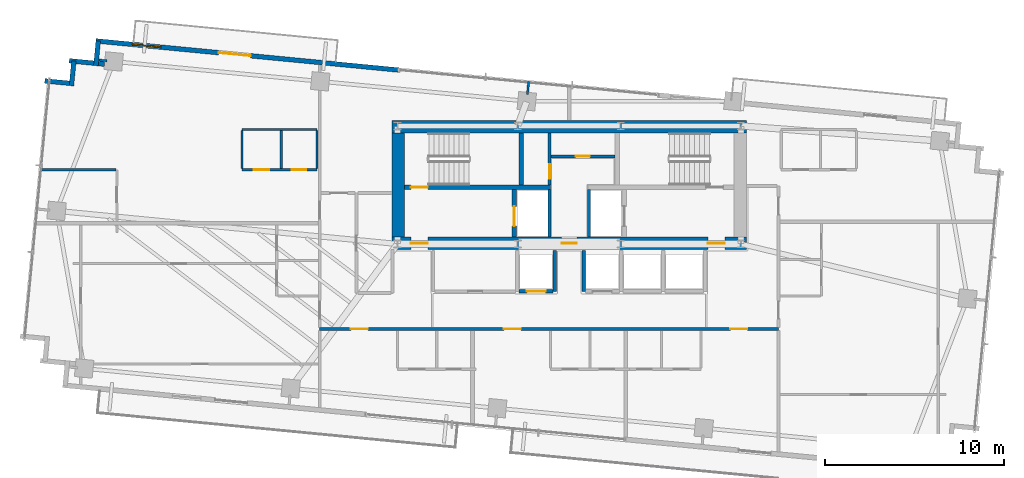
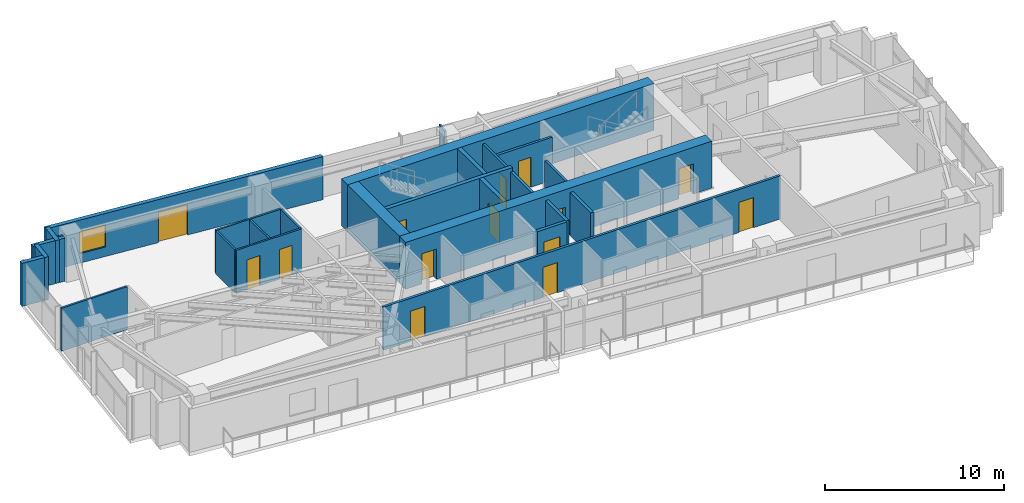
# One storey, part 16 of 20: 27 walls, 14 doors, 1 window, 15 openings.
"""IFC4 building model written with IfcOpenShell, lengths in metres."""

from ifc_helpers import new_model, si_unit, direction, frame, frame_2d, origin, place, context, subcontext, project, spatial, rectangle, extrude, source, transform, mapped, material, layer, layer_set, type_object, type_shapes, element, fill, save


model = new_model("IFC4")

# Units and contexts
model_context = context("Model", 3, precision=1e-05, world=origin(), true_north=direction((0.0, 1.0)))
body_context = subcontext(model_context, "Body", "Model", "MODEL_VIEW")
ifc_project = project(units=[si_unit("LENGTHUNIT", "METRE"), si_unit("AREAUNIT", "SQUARE_METRE"), si_unit("VOLUMEUNIT", "CUBIC_METRE"), si_unit("PLANEANGLEUNIT", "RADIAN"), si_unit("MASSUNIT", "GRAM", prefix="KILO")], contexts=[model_context])

# Site, building, storey
site_placement = place(None, origin())
site = spatial("IfcSite", under=ifc_project, at=site_placement, CompositionType="ELEMENT")
building_placement = place(site_placement, origin())
building = spatial("IfcBuilding", under=site, at=building_placement, Name="Astriad Promenade Condominiums", CompositionType="ELEMENT")
storey_placement = place(building_placement, frame((0.0, 0.0, 156.60009765625)))
storey = spatial("IfcBuildingStorey", under=building, at=storey_placement, Name="L45", CompositionType="ELEMENT", Elevation=156.60009765625)

# Wall, openings, doors
ifc_material_1 = material(Name="Concrete C60/75", Category="concrete")
ifc_layer_1 = layer(ifc_material_1, 0.699951171875)
ifc_layer_set_1 = layer_set([ifc_layer_1], Name="Concrete C60/75")
wall_type_1 = type_object("IfcWallType", Name="CW-SHEAR-700", PredefinedType="SHEAR", material=ifc_layer_set_1)
wall_1_placement = place(storey_placement, frame((26.10009765625, 17.449951171875, 0.0), z_axis=(0.0, 0.0, 1.0), x_axis=(1.0, 0.0, 0.0)))
wall_1 = element("IfcWall", 1, at=wall_1_placement, inside=storey, type_object=wall_type_1, Name="CW-CORE-S-L45", PredefinedType="SHEAR", context=body_context, shape_type="SweptSolid", body=[
    extrude(rectangle(XDim=19.7998046875, YDim=0.699951171875, at=frame_2d((9.89990234375, 0.0))), origin(), (0.0, 0.0, 1.0), 3.199951171875),
])
opening_1_placement = place(wall_1_placement, frame((1.050048828125, 0.0, 0.0)))
opening_1 = element("IfcOpeningElement", 2, at=opening_1_placement, cuts=wall_1, Name="Opening FD90-ST-095", PredefinedType="OPENING", context=body_context, shape_type="SweptSolid", body=[
    extrude(rectangle(XDim=0.949951171875, YDim=2.06005859375, at=frame_2d((0.47509765625, 1.030029296875))), frame((0.0, 0.35986328125, 0.0), z_axis=(0.0, -1.0, 0.0), x_axis=(1.0, 0.0, 0.0)), (0.0, 0.0, 1.0), 0.719970703125),
])
opening_2_placement = place(wall_1_placement, frame((9.47998046875, 0.0, 0.0)))
opening_2 = element("IfcOpeningElement", 3, at=opening_2_placement, cuts=wall_1, Name="Opening FD60-ULOW-085", PredefinedType="OPENING", context=body_context, shape_type="SweptSolid", body=[
    extrude(rectangle(XDim=0.85009765625, YDim=2.0, at=frame_2d((0.425048828125, 1.0))), frame((0.0, 0.35986328125, 0.0), z_axis=(0.0, -1.0, 0.0), x_axis=(1.0, 0.0, 0.0)), (0.0, 0.0, 1.0), 0.719970703125),
])
opening_3_placement = place(wall_1_placement, frame((17.64990234375, 0.0, 0.0)))
opening_3 = element("IfcOpeningElement", 4, at=opening_3_placement, cuts=wall_1, Name="Opening FD90-ST-095", PredefinedType="OPENING", context=body_context, shape_type="SweptSolid", body=[
    extrude(rectangle(XDim=0.949951171875, YDim=2.06005859375, at=frame_2d((0.47509765625, 1.030029296875))), frame((0.0, 0.35986328125, 0.0), z_axis=(0.0, -1.0, 0.0), x_axis=(1.0, 0.0, 0.0)), (0.0, 0.0, 1.0), 0.719970703125),
])
ifc_material_2 = material(Name="Fire-Rated Hollow Metal Stair Door")
door_type_1 = type_object("IfcDoorType", Name="FD90-ST-095", OperationType="NOTDEFINED", PredefinedType="DOOR", material=ifc_material_2)
shared_shape_1 = source(origin(), body_context, "Body", "SweptSolid", [
    extrude(rectangle(XDim=0.949951171875, YDim=2.06005859375, at=frame_2d((0.47509765625, 1.030029296875))), frame((0.0, 0.02490234375, 0.0), z_axis=(0.0, -1.0, 0.0), x_axis=(1.0, 0.0, 0.0)), (0.0, 0.0, 1.0), 0.050048828125),
])
type_shapes(door_type_1, [shared_shape_1])
door_1_placement = place(opening_1_placement, origin())
door_1 = element("IfcDoor", 5, at=door_1_placement, inside=storey, type_object=door_type_1, Name="D-FFW-L45", OperationType="SINGLE_SWING_LEFT", OverallHeight=2.06005859375, OverallWidth=0.949951171875, PredefinedType="DOOR", context=body_context, shape_type="MappedRepresentation", body=[
    mapped(shared_shape_1, transform((0.0, 0.0, 0.0), scale=1.0)),
])
fill(opening_1, door_1)
door_2_placement = place(opening_3_placement, origin())
door_2 = element("IfcDoor", 6, at=door_2_placement, inside=storey, type_object=door_type_1, Name="D-FFE-L45", OperationType="SINGLE_SWING_RIGHT", OverallHeight=2.06005859375, OverallWidth=0.949951171875, PredefinedType="DOOR", context=body_context, shape_type="MappedRepresentation", body=[
    mapped(shared_shape_1, transform((0.0, 0.0, 0.0), scale=1.0)),
])
fill(opening_3, door_2)
ifc_material_3 = material(Name="Solid-Core Low-Headroom Fire Door")
door_type_2 = type_object("IfcDoorType", Name="FD60-ULOW-085", OperationType="NOTDEFINED", PredefinedType="DOOR", material=ifc_material_3)
shared_shape_2 = source(origin(), body_context, "Body", "SweptSolid", [
    extrude(rectangle(XDim=0.85009765625, YDim=2.0, at=frame_2d((0.425048828125, 1.0))), frame((0.0, 0.02490234375, 0.0), z_axis=(0.0, -1.0, 0.0), x_axis=(1.0, 0.0, 0.0)), (0.0, 0.0, 1.0), 0.050048828125),
])
type_shapes(door_type_2, [shared_shape_2])
door_3_placement = place(opening_2_placement, origin())
door_3 = element("IfcDoor", 7, at=door_3_placement, inside=storey, type_object=door_type_2, Name="D-CSL-L45", OperationType="SINGLE_SWING_RIGHT", OverallHeight=2.0, OverallWidth=0.85009765625, PredefinedType="DOOR", context=body_context, shape_type="MappedRepresentation", body=[
    mapped(shared_shape_2, transform((0.0, 0.0, 0.0), scale=1.0)),
])
fill(opening_2, door_3)

# Walls
wall_2_placement = place(storey_placement, frame((26.10009765625, 23.949951171875, 0.0), z_axis=(0.0, 0.0, 1.0), x_axis=(1.0, 0.0, 0.0)))
element("IfcWall", 8, at=wall_2_placement, inside=storey, type_object=wall_type_1, Name="CW-CORE-N-L45", PredefinedType="SHEAR", context=body_context, shape_type="SweptSolid", body=[
    extrude(rectangle(XDim=19.7998046875, YDim=0.699951171875, at=frame_2d((9.89990234375, 0.0))), origin(), (0.0, 0.0, 1.0), 3.199951171875),
])
wall_3_placement = place(storey_placement, frame((26.449951171875, 17.802001953125, 0.0), z_axis=(0.0, 0.0, 1.0), x_axis=(0.0, 1.0, 0.0)))
element("IfcWall", 9, at=wall_3_placement, inside=storey, type_object=wall_type_1, Name="CW-CORE-W-L45", PredefinedType="SHEAR", context=body_context, shape_type="SweptSolid", body=[
    extrude(rectangle(XDim=5.7958984375, YDim=0.699951171875, at=frame_2d((2.89794921875, 0.0))), origin(), (0.0, 0.0, 1.0), 3.199951171875),
])

# Wall, opening, door
ifc_material_4 = material(Name="Concrete C50/60", Category="concrete")
ifc_layer_2 = layer(ifc_material_4, 0.25)
ifc_layer_set_2 = layer_set([ifc_layer_2], Name="Concrete C50/60")
wall_type_2 = type_object("IfcWallType", Name="WALL-CORE-INT-250", PredefinedType="SOLIDWALL", material=ifc_layer_set_2)
wall_4_placement = place(storey_placement, frame((26.802001953125, 20.574951171875, 0.0), z_axis=(0.0, 0.0, 1.0), x_axis=(1.0, 0.0, 0.0)))
wall_4 = element("IfcWall", 10, at=wall_4_placement, inside=storey, type_object=wall_type_2, Name="CW-INT-H1-L45", PredefinedType="SOLIDWALL", context=body_context, shape_type="SweptSolid", body=[
    extrude(rectangle(XDim=8.14794921875, YDim=0.25, at=frame_2d((4.073974609375, 0.0))), origin(), (0.0, 0.0, 1.0), 3.199951171875),
])
opening_4_placement = place(wall_4_placement, frame((0.347900390625, 0.0, 0.0)))
opening_4 = element("IfcOpeningElement", 11, at=opening_4_placement, cuts=wall_4, Name="Opening FD90-ST-095", PredefinedType="OPENING", context=body_context, shape_type="SweptSolid", body=[
    extrude(rectangle(XDim=0.949951171875, YDim=2.06005859375, at=frame_2d((0.47509765625, 1.030029296875))), frame((0.0, 0.135009765625, 0.0), z_axis=(0.0, -1.0, 0.0), x_axis=(1.0, 0.0, 0.0)), (0.0, 0.0, 1.0), 0.27001953125),
])
door_4_placement = place(opening_4_placement, origin())
door_4 = element("IfcDoor", 12, at=door_4_placement, inside=storey, type_object=door_type_1, Name="D-ST1-L45", OperationType="SINGLE_SWING_RIGHT", OverallHeight=2.06005859375, OverallWidth=0.949951171875, PredefinedType="DOOR", context=body_context, shape_type="MappedRepresentation", body=[
    mapped(shared_shape_1, transform((0.0, 0.0, 0.0), scale=1.0)),
])
fill(opening_4, door_4)

# Wall
wall_5_placement = place(storey_placement, frame((33.324951171875, 20.701904296875, 0.0), z_axis=(0.0, 0.0, 1.0), x_axis=(0.0, 1.0, 0.0)))
element("IfcWall", 13, at=wall_5_placement, inside=storey, type_object=wall_type_2, Name="CW-ST1-E-L45", PredefinedType="SOLIDWALL", context=body_context, shape_type="SweptSolid", body=[
    extrude(rectangle(XDim=2.89599609375, YDim=0.25, at=frame_2d((1.447998046875, 0.0))), origin(), (0.0, 0.0, 1.0), 3.199951171875),
])

# Wall, opening, door
wall_6_placement = place(storey_placement, frame((32.925048828125, 17.802001953125, 0.0), z_axis=(0.0, 0.0, 1.0), x_axis=(0.0, 1.0, 0.0)))
wall_6 = element("IfcWall", 14, at=wall_6_placement, inside=storey, type_object=wall_type_2, Name="CW-FFL1-W-L45", PredefinedType="SOLIDWALL", context=body_context, shape_type="SweptSolid", body=[
    extrude(rectangle(XDim=2.64599609375, YDim=0.25, at=frame_2d((1.322998046875, 0.0))), origin(), (0.0, 0.0, 1.0), 3.199951171875),
])
opening_5_placement = place(wall_6_placement, frame((0.597900390625, 0.0, 0.0)))
opening_5 = element("IfcOpeningElement", 15, at=opening_5_placement, cuts=wall_6, Name="Opening LD-FFL-1122", PredefinedType="OPENING", context=body_context, shape_type="SweptSolid", body=[
    extrude(rectangle(XDim=1.10009765625, YDim=2.080078125, at=frame_2d((0.550048828125, 1.0400390625))), frame((0.0, 0.135009765625, 0.0), z_axis=(0.0, -1.0, 0.0), x_axis=(1.0, 0.0, 0.0)), (0.0, 0.0, 1.0), 0.27001953125),
])
ifc_material_5 = material(Name="Brushed Stainless Steel Fire Elevator Landing Door", Category="steel")
door_type_3 = type_object("IfcDoorType", Name="LD-FFL-1122", OperationType="NOTDEFINED", PredefinedType="DOOR", material=ifc_material_5)
shared_shape_3 = source(origin(), body_context, "Body", "SweptSolid", [
    extrude(rectangle(XDim=1.10009765625, YDim=2.080078125, at=frame_2d((0.550048828125, 1.0400390625))), frame((0.0, 0.02490234375, 0.0), z_axis=(0.0, -1.0, 0.0), x_axis=(1.0, 0.0, 0.0)), (0.0, 0.0, 1.0), 0.050048828125),
])
type_shapes(door_type_3, [shared_shape_3])
door_5_placement = place(opening_5_placement, origin())
door_5 = element("IfcDoor", 16, at=door_5_placement, inside=storey, type_object=door_type_3, Name="Elevator Landing Door FFL-1 (L45)", OperationType="SLIDING_TO_LEFT", OverallHeight=2.080078125, OverallWidth=1.10009765625, PredefinedType="DOOR", context=body_context, shape_type="MappedRepresentation", body=[
    mapped(shared_shape_3, transform((0.0, 0.0, 0.0), scale=1.0)),
])
fill(opening_5, door_5)

# Walls
ifc_material_6 = material(Name="Fire-Rated Gypsum Partition")
ifc_layer_3 = layer(ifc_material_6, 0.159912109375)
ifc_layer_set_3 = layer_set([ifc_layer_3], Name="Fire-Rated Gypsum Partition")
wall_type_3 = type_object("IfcWallType", Name="WALL-CORR-160", PredefinedType="PARTITIONING", material=ifc_layer_set_3)
for number, where, z_axis, x_axis, name in (
    (17, (34.89990234375, 17.802001953125, 0.0), (0.0, 0.0, 1.0), (0.0, 1.0, 0.0), "CW-FFL1-E-L45"),
    (18, (37.10009765625, 17.802001953125, 0.0), (0.0, 0.0, 1.0), (0.0, 1.0, 0.0), "CW-FFL2-W-L45"),
):
    element("IfcWall", number, at=place(storey_placement, frame(where, z_axis=z_axis, x_axis=x_axis)), inside=storey, type_object=wall_type_3, Name=name, PredefinedType="PARTITIONING", context=body_context, shape_type="SweptSolid", body=[
        extrude(rectangle(XDim=2.64599609375, YDim=0.159912109375, at=frame_2d((1.322998046875, 0.0))), origin(), (0.0, 0.0, 1.0), 2.93994140625),
    ])

# Wall, opening, door
wall_7_placement = place(storey_placement, frame((34.89990234375, 20.701904296875, 0.0), z_axis=(0.0, 0.0, 1.0), x_axis=(0.0, 1.0, 0.0)))
wall_7 = element("IfcWall", 19, at=wall_7_placement, inside=storey, type_object=wall_type_3, Name="CW-AUX-W-L45", PredefinedType="PARTITIONING", context=body_context, shape_type="SweptSolid", body=[
    extrude(rectangle(XDim=2.89599609375, YDim=0.159912109375, at=frame_2d((1.447998046875, 0.0))), origin(), (0.0, 0.0, 1.0), 2.93994140625),
])
opening_6_placement = place(wall_7_placement, frame((0.347900390625, 0.0, 0.0)))
opening_6 = element("IfcOpeningElement", 20, at=opening_6_placement, cuts=wall_7, Name="Opening FD60-SV-080", PredefinedType="OPENING", context=body_context, shape_type="SweptSolid", body=[
    extrude(rectangle(XDim=0.800048828125, YDim=2.050048828125, at=frame_2d((0.39990234375, 1.02490234375))), frame((0.0, 0.08984375, 0.0), z_axis=(0.0, -1.0, 0.0), x_axis=(1.0, 0.0, 0.0)), (0.0, 0.0, 1.0), 0.179931640625),
])
ifc_material_7 = material(Name="Fire-Rated Riser Closet Door")
door_type_4 = type_object("IfcDoorType", Name="FD60-SV-080", OperationType="NOTDEFINED", PredefinedType="DOOR", material=ifc_material_7)
shared_shape_4 = source(origin(), body_context, "Body", "SweptSolid", [
    extrude(rectangle(XDim=0.800048828125, YDim=2.050048828125, at=frame_2d((0.39990234375, 1.02490234375))), frame((0.0, 0.02490234375, 0.0), z_axis=(0.0, -1.0, 0.0), x_axis=(1.0, 0.0, 0.0)), (0.0, 0.0, 1.0), 0.050048828125),
])
type_shapes(door_type_4, [shared_shape_4])
door_6_placement = place(opening_6_placement, origin())
door_6 = element("IfcDoor", 21, at=door_6_placement, inside=storey, type_object=door_type_4, Name="D-AUX1-L45", OperationType="SINGLE_SWING_RIGHT", OverallHeight=2.050048828125, OverallWidth=0.800048828125, PredefinedType="DOOR", context=body_context, shape_type="MappedRepresentation", body=[
    mapped(shared_shape_4, transform((0.0, 0.0, 0.0), scale=1.0)),
])
fill(opening_6, door_6)

wall_8_placement = place(storey_placement, frame((34.98193359375, 22.300048828125, 0.0), z_axis=(0.0, 0.0, 1.0), x_axis=(1.0, 0.0, 0.0)))
wall_8 = element("IfcWall", 22, at=wall_8_placement, inside=storey, type_object=wall_type_3, Name="CW-AUX-N-L45", PredefinedType="PARTITIONING", context=body_context, shape_type="SweptSolid", body=[
    extrude(rectangle(XDim=3.566162109375, YDim=0.159912109375, at=frame_2d((1.783203125, 0.0))), origin(), (0.0, 0.0, 1.0), 2.93994140625),
])
opening_7_placement = place(wall_8_placement, frame((1.3779296875, 0.0, 0.0)))
opening_7 = element("IfcOpeningElement", 23, at=opening_7_placement, cuts=wall_8, Name="Opening FD60-SV-080", PredefinedType="OPENING", context=body_context, shape_type="SweptSolid", body=[
    extrude(rectangle(XDim=0.800048828125, YDim=2.050048828125, at=frame_2d((0.39990234375, 1.02490234375))), frame((0.0, 0.08984375, 0.0), z_axis=(0.0, -1.0, 0.0), x_axis=(1.0, 0.0, 0.0)), (0.0, 0.0, 1.0), 0.179931640625),
])
door_7_placement = place(opening_7_placement, origin())
door_7 = element("IfcDoor", 24, at=door_7_placement, inside=storey, type_object=door_type_4, Name="D-AUX2-L45", OperationType="SINGLE_SWING_LEFT", OverallHeight=2.050048828125, OverallWidth=0.800048828125, PredefinedType="DOOR", context=body_context, shape_type="MappedRepresentation", body=[
    mapped(shared_shape_4, transform((0.0, 0.0, 0.0), scale=1.0)),
])
fill(opening_7, door_7)

# Wall, openings, doors
wall_9_placement = place(storey_placement, frame((22.050048828125, 12.64990234375, 0.0), z_axis=(0.0, 0.0, 1.0), x_axis=(1.0, 0.0, 0.0)))
wall_9 = element("IfcWall", 25, at=wall_9_placement, inside=storey, type_object=wall_type_3, Name="PT-COR-S-L45", PredefinedType="PARTITIONING", context=body_context, shape_type="SweptSolid", body=[
    extrude(rectangle(XDim=25.64990234375, YDim=0.159912109375, at=frame_2d((12.824951171875, 0.0))), origin(), (0.0, 0.0, 1.0), 2.93994140625),
])
opening_8_placement = place(wall_9_placement, frame((1.736083984375, 0.0, 0.0)))
opening_8 = element("IfcOpeningElement", 26, at=opening_8_placement, cuts=wall_9, Name="Opening FD60-APT-095", PredefinedType="OPENING", context=body_context, shape_type="SweptSolid", body=[
    extrude(rectangle(XDim=0.949951171875, YDim=2.06005859375, at=frame_2d((0.47509765625, 1.030029296875))), frame((0.0, 0.08984375, 0.0), z_axis=(0.0, -1.0, 0.0), x_axis=(1.0, 0.0, 0.0)), (0.0, 0.0, 1.0), 0.179931640625),
])
opening_9_placement = place(wall_9_placement, frame((10.300048828125, 0.0, 0.0)))
opening_9 = element("IfcOpeningElement", 27, at=opening_9_placement, cuts=wall_9, Name="Opening FD60-APT-095", PredefinedType="OPENING", context=body_context, shape_type="SweptSolid", body=[
    extrude(rectangle(XDim=0.949951171875, YDim=2.06005859375, at=frame_2d((0.47509765625, 1.030029296875))), frame((0.0, 0.08984375, 0.0), z_axis=(0.0, -1.0, 0.0), x_axis=(1.0, 0.0, 0.0)), (0.0, 0.0, 1.0), 0.179931640625),
])
opening_10_placement = place(wall_9_placement, frame((22.965087890625, 0.0, 0.0)))
opening_10 = element("IfcOpeningElement", 28, at=opening_10_placement, cuts=wall_9, Name="Opening FD60-APT-095", PredefinedType="OPENING", context=body_context, shape_type="SweptSolid", body=[
    extrude(rectangle(XDim=0.949951171875, YDim=2.06005859375, at=frame_2d((0.47509765625, 1.030029296875))), frame((0.0, 0.08984375, 0.0), z_axis=(0.0, -1.0, 0.0), x_axis=(1.0, 0.0, 0.0)), (0.0, 0.0, 1.0), 0.179931640625),
])
ifc_material_8 = material(Name="Solid-Core Acoustic Timber Residence Entry Door", Category="wood")
door_type_5 = type_object("IfcDoorType", Name="FD60-APT-095", OperationType="NOTDEFINED", PredefinedType="DOOR", material=ifc_material_8)
shared_shape_5 = source(origin(), body_context, "Body", "SweptSolid", [
    extrude(rectangle(XDim=0.949951171875, YDim=2.06005859375, at=frame_2d((0.47509765625, 1.030029296875))), frame((0.0, 0.02490234375, 0.0), z_axis=(0.0, -1.0, 0.0), x_axis=(1.0, 0.0, 0.0)), (0.0, 0.0, 1.0), 0.050048828125),
])
type_shapes(door_type_5, [shared_shape_5])
door_8_placement = place(opening_8_placement, origin())
door_8 = element("IfcDoor", 29, at=door_8_placement, inside=storey, type_object=door_type_5, Name="D-ENT-L45-S1", OperationType="SINGLE_SWING_LEFT", OverallHeight=2.06005859375, OverallWidth=0.949951171875, PredefinedType="DOOR", context=body_context, shape_type="MappedRepresentation", body=[
    mapped(shared_shape_5, transform((0.0, 0.0, 0.0), scale=1.0)),
])
fill(opening_8, door_8)
door_9_placement = place(opening_9_placement, origin())
door_9 = element("IfcDoor", 30, at=door_9_placement, inside=storey, type_object=door_type_5, Name="D-ENT-L45-S2", OperationType="SINGLE_SWING_RIGHT", OverallHeight=2.06005859375, OverallWidth=0.949951171875, PredefinedType="DOOR", context=body_context, shape_type="MappedRepresentation", body=[
    mapped(shared_shape_5, transform((0.0, 0.0, 0.0), scale=1.0)),
])
fill(opening_9, door_9)
door_10_placement = place(opening_10_placement, origin())
door_10 = element("IfcDoor", 31, at=door_10_placement, inside=storey, type_object=door_type_5, Name="D-ENT-L45-S3", OperationType="SINGLE_SWING_LEFT", OverallHeight=2.06005859375, OverallWidth=0.949951171875, PredefinedType="DOOR", context=body_context, shape_type="MappedRepresentation", body=[
    mapped(shared_shape_5, transform((0.0, 0.0, 0.0), scale=1.0)),
])
fill(opening_10, door_10)

# Walls
ifc_material_9 = material(Name="Precast concrete C50/60", Category="concrete")
ifc_layer_4 = layer(ifc_material_9, 0.260009765625)
ifc_layer_set_4 = layer_set([ifc_layer_4], Name="Precast concrete C50/60")
wall_type_4 = type_object("IfcWallType", Name="WALL-EXT-TWR-260", PredefinedType="STANDARD", material=ifc_layer_set_4)
wall_10_placement = place(storey_placement, frame((6.68115234375, 26.518310546875, 0.0), z_axis=(0.0, 0.0, 1.0), x_axis=(0.995389446633, -0.095915846097, 0.0)))
element("IfcWall", 32, at=wall_10_placement, inside=storey, type_object=wall_type_4, Name="W-SER-L45-04", PredefinedType="STANDARD", context=body_context, shape_type="SweptSolid", body=[
    extrude(rectangle(XDim=1.394775390625, YDim=0.260009765625, at=frame_2d((0.697265625, 0.0))), origin(), (0.0, 0.0, 1.0), 2.93994140625),
])
wall_11_placement = place(storey_placement, frame((8.171875, 26.243896484375, 0.0), z_axis=(0.0, 0.0, 1.0), x_axis=(0.095725744959, 0.99540774648, 0.0)))
element("IfcWall", 33, at=wall_11_placement, inside=storey, type_object=wall_type_4, Name="W-SER-L45-05", PredefinedType="STANDARD", context=body_context, shape_type="SweptSolid", body=[
    extrude(rectangle(XDim=1.39501953125, YDim=0.260009765625, at=frame_2d((0.697509765625, 0.0))), origin(), (0.0, 0.0, 1.0), 2.93994140625),
])
wall_12_placement = place(storey_placement, frame((8.045166015625, 27.642578125, 0.0), z_axis=(0.0, 0.0, 1.0), x_axis=(0.995391147587, -0.095898192396, 0.0)))
element("IfcWall", 34, at=wall_12_placement, inside=storey, type_object=wall_type_4, Name="W-SER-L45-06", PredefinedType="STANDARD", context=body_context, shape_type="SweptSolid", body=[
    extrude(rectangle(XDim=1.97802734375, YDim=0.260009765625, at=frame_2d((0.989013671875, 0.0))), origin(), (0.0, 0.0, 1.0), 2.93994140625),
])
wall_13_placement = place(storey_placement, frame((9.535888671875, 27.368408203125, 0.0), z_axis=(0.0, 0.0, 1.0), x_axis=(0.095915846097, 0.995389446633, 0.0)))
element("IfcWall", 35, at=wall_13_placement, inside=storey, type_object=wall_type_4, Name="W-SER-L45-07", PredefinedType="STANDARD", context=body_context, shape_type="SweptSolid", body=[
    extrude(rectangle(XDim=1.394775390625, YDim=0.260009765625, at=frame_2d((0.697265625, 0.0))), origin(), (0.0, 0.0, 1.0), 2.93994140625),
])

# Wall, openings, door, window
wall_14_placement = place(storey_placement, frame((9.538818359375, 28.75439453125, 0.0), z_axis=(0.0, 0.0, 1.0), x_axis=(0.995397345886, -0.09583383433, 0.0)))
wall_14 = element("IfcWall", 36, at=wall_14_placement, inside=storey, type_object=wall_type_4, Name="W-EXT-L45-N1", PredefinedType="STANDARD", context=body_context, shape_type="SweptSolid", body=[
    extrude(rectangle(XDim=17.010009765625, YDim=0.260009765625, at=frame_2d((8.5048828125, 0.0))), origin(), (0.0, 0.0, 1.0), 2.93994140625),
])
opening_11_placement = place(wall_14_placement, frame((6.903076171875, 0.0, 0.0)))
opening_11 = element("IfcOpeningElement", 37, at=opening_11_placement, cuts=wall_14, Name="Opening BD-1822-SLD", PredefinedType="OPENING", context=body_context, shape_type="SweptSolid", body=[
    extrude(rectangle(XDim=1.800048828125, YDim=2.06005859375, at=frame_2d((0.89990234375, 1.030029296875))), frame((0.0, 0.139892578125, 0.0), z_axis=(0.0, -1.0, 0.0), x_axis=(1.0, 0.0, 0.0)), (0.0, 0.0, 1.0), 0.280029296875),
])
opening_12_placement = place(wall_14_placement, frame((2.050048828125, 0.0, 0.64990234375)))
opening_12 = element("IfcOpeningElement", 38, at=opening_12_placement, cuts=wall_14, Name="Opening WIN-TWR-1620", PredefinedType="OPENING", context=body_context, shape_type="SweptSolid", body=[
    extrude(rectangle(XDim=1.60009765625, YDim=1.5, at=frame_2d((0.800048828125, 0.75))), frame((0.0, 0.139892578125, 0.0), z_axis=(0.0, -1.0, 0.0), x_axis=(1.0, 0.0, 0.0)), (0.0, 0.0, 1.0), 0.280029296875),
])
ifc_material_10 = material(Name="Thermally Broken Aluminium Sliding Balcony Door", Category="aluminium")
door_type_6 = type_object("IfcDoorType", Name="BD-1822-SLD", OperationType="NOTDEFINED", PredefinedType="DOOR", material=ifc_material_10)
shared_shape_6 = source(origin(), body_context, "Body", "SweptSolid", [
    extrude(rectangle(XDim=1.800048828125, YDim=2.06005859375, at=frame_2d((0.89990234375, 1.030029296875))), frame((0.0, 0.02490234375, 0.0), z_axis=(0.0, -1.0, 0.0), x_axis=(1.0, 0.0, 0.0)), (0.0, 0.0, 1.0), 0.050048828125),
])
type_shapes(door_type_6, [shared_shape_6])
door_11_placement = place(opening_11_placement, origin())
door_11 = element("IfcDoor", 39, at=door_11_placement, inside=storey, type_object=door_type_6, Name="BD-L45-NW", OperationType="SLIDING_TO_LEFT", OverallHeight=2.06005859375, OverallWidth=1.800048828125, PredefinedType="DOOR", context=body_context, shape_type="MappedRepresentation", body=[
    mapped(shared_shape_6, transform((0.0, 0.0, 0.0), scale=1.0)),
])
fill(opening_11, door_11)
ifc_material_11 = material(Name="Dark Tinted Triple-Glazed Aluminium Window", Category="aluminium")
window_type = type_object("IfcWindowType", Name="WIN-TWR-1620", PartitioningType="SINGLE_PANEL", PredefinedType="WINDOW", material=ifc_material_11)
shared_shape_7 = source(origin(), body_context, "Body", "SweptSolid", [
    extrude(rectangle(XDim=1.60009765625, YDim=1.5, at=frame_2d((0.800048828125, 0.75))), frame((0.0, 0.030029296875, 0.0), z_axis=(0.0, -1.0, 0.0), x_axis=(1.0, 0.0, 0.0)), (0.0, 0.0, 1.0), 0.06005859375),
])
type_shapes(window_type, [shared_shape_7])
window_placement = place(opening_12_placement, origin())
window = element("IfcWindow", 40, at=window_placement, inside=storey, type_object=window_type, Name="WIN-L45-NW", OverallHeight=1.5, OverallWidth=1.60009765625, PartitioningType="SINGLE_PANEL", PredefinedType="WINDOW", context=body_context, shape_type="MappedRepresentation", body=[
    mapped(shared_shape_7, transform((0.0, 0.0, 0.0), scale=1.0)),
])
fill(opening_12, window)

# Wall, openings, doors
ifc_material_12 = material(Name="Acoustic Metal-Stud Gypsum Partition")
ifc_layer_5 = layer(ifc_material_12, 0.1201171875)
ifc_layer_set_5 = layer_set([ifc_layer_5], Name="Acoustic Metal-Stud Gypsum Partition")
wall_type_5 = type_object("IfcWallType", Name="WALL-PART-120", PredefinedType="PARTITIONING", material=ifc_layer_set_5)
wall_15_placement = place(storey_placement, frame((17.699951171875, 21.550048828125, 0.0), z_axis=(0.0, 0.0, 1.0), x_axis=(1.0, 0.0, 0.0)))
wall_15 = element("IfcWall", 41, at=wall_15_placement, inside=storey, type_object=wall_type_5, Name="PT-L45-W2-PH", PredefinedType="PARTITIONING", context=body_context, shape_type="SweptSolid", body=[
    extrude(rectangle(XDim=4.199951171875, YDim=0.1201171875, at=frame_2d((2.10009765625, 0.0))), origin(), (0.0, 0.0, 1.0), 2.93994140625),
])
opening_13_placement = place(wall_15_placement, frame((0.675048828125, 0.0, 0.0)))
opening_13 = element("IfcOpeningElement", 42, at=opening_13_placement, cuts=wall_15, Name="Opening D-INT-085", PredefinedType="OPENING", context=body_context, shape_type="SweptSolid", body=[
    extrude(rectangle(XDim=0.85009765625, YDim=2.050048828125, at=frame_2d((0.425048828125, 1.02490234375))), frame((0.0, 0.070068359375, 0.0), z_axis=(0.0, -1.0, 0.0), x_axis=(1.0, 0.0, 0.0)), (0.0, 0.0, 1.0), 0.14013671875),
])
opening_14_placement = place(wall_15_placement, frame((2.800048828125, 0.0, 0.0)))
opening_14 = element("IfcOpeningElement", 43, at=opening_14_placement, cuts=wall_15, Name="Opening D-WET-080", PredefinedType="OPENING", context=body_context, shape_type="SweptSolid", body=[
    extrude(rectangle(XDim=0.800048828125, YDim=2.02001953125, at=frame_2d((0.39990234375, 1.010009765625))), frame((0.0, 0.070068359375, 0.0), z_axis=(0.0, -1.0, 0.0), x_axis=(1.0, 0.0, 0.0)), (0.0, 0.0, 1.0), 0.14013671875),
])
ifc_material_13 = material(Name="Moisture-Resistant Timber Bathroom Door", Category="wood")
door_type_7 = type_object("IfcDoorType", Name="D-WET-080", OperationType="NOTDEFINED", PredefinedType="DOOR", material=ifc_material_13)
shared_shape_8 = source(origin(), body_context, "Body", "SweptSolid", [
    extrude(rectangle(XDim=0.800048828125, YDim=2.02001953125, at=frame_2d((0.39990234375, 1.010009765625))), frame((0.0, 0.02490234375, 0.0), z_axis=(0.0, -1.0, 0.0), x_axis=(1.0, 0.0, 0.0)), (0.0, 0.0, 1.0), 0.050048828125),
])
type_shapes(door_type_7, [shared_shape_8])
door_12_placement = place(opening_14_placement, origin())
door_12 = element("IfcDoor", 44, at=door_12_placement, inside=storey, type_object=door_type_7, Name="D-BTH-L45-W2", OperationType="SINGLE_SWING_LEFT", OverallHeight=2.02001953125, OverallWidth=0.800048828125, PredefinedType="DOOR", context=body_context, shape_type="MappedRepresentation", body=[
    mapped(shared_shape_8, transform((0.0, 0.0, 0.0), scale=1.0)),
])
fill(opening_14, door_12)
ifc_material_14 = material(Name="Painted Solid-Core Timber Room Door", Category="wood")
door_type_8 = type_object("IfcDoorType", Name="D-INT-085", OperationType="NOTDEFINED", PredefinedType="DOOR", material=ifc_material_14)
shared_shape_9 = source(origin(), body_context, "Body", "SweptSolid", [
    extrude(rectangle(XDim=0.85009765625, YDim=2.050048828125, at=frame_2d((0.425048828125, 1.02490234375))), frame((0.0, 0.02490234375, 0.0), z_axis=(0.0, -1.0, 0.0), x_axis=(1.0, 0.0, 0.0)), (0.0, 0.0, 1.0), 0.050048828125),
])
type_shapes(door_type_8, [shared_shape_9])
door_13_placement = place(opening_13_placement, origin())
door_13 = element("IfcDoor", 45, at=door_13_placement, inside=storey, type_object=door_type_8, Name="D-KIT-L45-W2", OperationType="SINGLE_SWING_RIGHT", OverallHeight=2.050048828125, OverallWidth=0.85009765625, PredefinedType="DOOR", context=body_context, shape_type="MappedRepresentation", body=[
    mapped(shared_shape_9, transform((0.0, 0.0, 0.0), scale=1.0)),
])
fill(opening_13, door_13)

# Walls
wall_16_placement = place(storey_placement, frame((17.699951171875, 23.800048828125, 0.0), z_axis=(0.0, 0.0, 1.0), x_axis=(1.0, 0.0, 0.0)))
element("IfcWall", 46, at=wall_16_placement, inside=storey, type_object=wall_type_5, Name="PT-L45-W2-PHN", PredefinedType="PARTITIONING", context=body_context, shape_type="SweptSolid", body=[
    extrude(rectangle(XDim=4.199951171875, YDim=0.1201171875, at=frame_2d((2.10009765625, 0.0))), origin(), (0.0, 0.0, 1.0), 2.93994140625),
])
for number, where, z_axis, x_axis, name in (
    (47, (17.699951171875, 21.612060546875, 0.0), (0.0, 0.0, 1.0), (0.0, 1.0, 0.0), "PT-L45-W2-PK1"),
    (48, (19.89990234375, 21.612060546875, 0.0), (0.0, 0.0, 1.0), (0.0, 1.0, 0.0), "PT-L45-W2-PK2"),
    (49, (21.89990234375, 21.612060546875, 0.0), (0.0, 0.0, 1.0), (0.0, 1.0, 0.0), "PT-L45-W2-PK3"),
):
    element("IfcWall", number, at=place(storey_placement, frame(where, z_axis=z_axis, x_axis=x_axis)), inside=storey, type_object=wall_type_5, Name=name, PredefinedType="PARTITIONING", context=body_context, shape_type="SweptSolid", body=[
        extrude(rectangle(XDim=2.1259765625, YDim=0.1201171875, at=frame_2d((1.06298828125, 0.0))), origin(), (0.0, 0.0, 1.0), 2.93994140625),
    ])
wall_17_placement = place(storey_placement, frame((6.413818359375, 21.550048828125, 0.0), z_axis=(0.0, 0.0, 1.0), x_axis=(1.0, 0.0, 0.0)))
element("IfcWall", 50, at=wall_17_placement, inside=storey, type_object=wall_type_5, Name="PT-L45-W2-CAP1H", PredefinedType="PARTITIONING", context=body_context, shape_type="SweptSolid", body=[
    extrude(rectangle(XDim=4.23828125, YDim=0.1201171875, at=frame_2d((2.119140625, 0.0))), origin(), (0.0, 0.0, 1.0), 2.93994140625),
])
wall_18_placement = place(storey_placement, frame((10.15478515625, 27.640380859375, 0.0), z_axis=(0.0, 0.0, 1.0), x_axis=(-0.995435366701, 0.095438098896, 0.0)))
element("IfcWall", 51, at=wall_18_placement, inside=storey, type_object=wall_type_5, Name="PT-PIL-L45-PC06-13", PredefinedType="PARTITIONING", context=body_context, shape_type="SweptSolid", body=[
    extrude(rectangle(XDim=0.4580078125, YDim=0.1201171875, at=frame_2d((0.22900390625, 0.0))), origin(), (0.0, 0.0, 1.0), 2.93994140625),
])
wall_19_placement = place(storey_placement, frame((33.66259765625, 25.758544921875, 0.0), z_axis=(0.0, 0.0, 1.0), x_axis=(0.095977354523, 0.995383517755, 0.0)))
element("IfcWall", 52, at=wall_19_placement, inside=storey, type_object=wall_type_5, Name="PT-PIL-L45-PC08-15", PredefinedType="PARTITIONING", context=body_context, shape_type="SweptSolid", body=[
    extrude(rectangle(XDim=0.719970703125, YDim=0.1201171875, at=frame_2d((0.35986328125, 0.0))), origin(), (0.0, 0.0, 1.0), 2.93994140625),
])
ifc_material_15 = material(Name="Gypsum Shaftliner Assembly")
ifc_layer_6 = layer(ifc_material_15, 0.199951171875)
ifc_layer_set_6 = layer_set([ifc_layer_6], Name="Gypsum Shaftliner Assembly")
wall_type_6 = type_object("IfcWallType", Name="WALL-SHAFT-200", PredefinedType="PARTITIONING", material=ifc_layer_set_6)
wall_20_placement = place(storey_placement, frame((35.199951171875, 14.75, 0.0), z_axis=(0.0, 0.0, 1.0), x_axis=(0.0, 1.0, 0.0)))
element("IfcWall", 53, at=wall_20_placement, inside=storey, type_object=wall_type_6, Name="PL-M1-E-L45", PredefinedType="PARTITIONING", context=body_context, shape_type="SweptSolid", body=[
    extrude(rectangle(XDim=2.300048828125, YDim=0.199951171875, at=frame_2d((1.14990234375, 0.0))), origin(), (0.0, 0.0, 1.0), 2.93994140625),
])

# Wall, opening, door
wall_21_placement = place(storey_placement, frame((33.201904296875, 14.75, 0.0), z_axis=(0.0, 0.0, 1.0), x_axis=(1.0, 0.0, 0.0)))
wall_21 = element("IfcWall", 54, at=wall_21_placement, inside=storey, type_object=wall_type_6, Name="PL-M1-F-L45", PredefinedType="PARTITIONING", context=body_context, shape_type="SweptSolid", body=[
    extrude(rectangle(XDim=1.89599609375, YDim=0.199951171875, at=frame_2d((0.947998046875, 0.0))), origin(), (0.0, 0.0, 1.0), 2.93994140625),
])
opening_15_placement = place(wall_21_placement, frame((0.423095703125, 0.0, 0.0)))
opening_15 = element("IfcOpeningElement", 55, at=opening_15_placement, cuts=wall_21, Name="Opening LD-PL-10522", PredefinedType="OPENING", context=body_context, shape_type="SweptSolid", body=[
    extrude(rectangle(XDim=1.050048828125, YDim=2.080078125, at=frame_2d((0.52490234375, 1.0400390625))), frame((0.0, 0.10986328125, 0.0), z_axis=(0.0, -1.0, 0.0), x_axis=(1.0, 0.0, 0.0)), (0.0, 0.0, 1.0), 0.219970703125),
])
ifc_material_16 = material(Name="Brushed Bronze Passenger Elevator Landing Door")
door_type_9 = type_object("IfcDoorType", Name="LD-PL-10522", OperationType="NOTDEFINED", PredefinedType="DOOR", material=ifc_material_16)
shared_shape_10 = source(origin(), body_context, "Body", "SweptSolid", [
    extrude(rectangle(XDim=1.050048828125, YDim=2.080078125, at=frame_2d((0.52490234375, 1.0400390625))), frame((0.0, 0.02490234375, 0.0), z_axis=(0.0, -1.0, 0.0), x_axis=(1.0, 0.0, 0.0)), (0.0, 0.0, 1.0), 0.050048828125),
])
type_shapes(door_type_9, [shared_shape_10])
door_14_placement = place(opening_15_placement, origin())
door_14 = element("IfcDoor", 56, at=door_14_placement, inside=storey, type_object=door_type_9, Name="Elevator Landing Door PL-M1 (L45)", OperationType="SLIDING_TO_LEFT", OverallHeight=2.080078125, OverallWidth=1.050048828125, PredefinedType="DOOR", context=body_context, shape_type="MappedRepresentation", body=[
    mapped(shared_shape_10, transform((0.0, 0.0, 0.0), scale=1.0)),
])
fill(opening_15, door_14)

# Wall
wall_22_placement = place(storey_placement, frame((36.800048828125, 14.75, 0.0), z_axis=(0.0, 0.0, 1.0), x_axis=(0.0, 1.0, 0.0)))
element("IfcWall", 57, at=wall_22_placement, inside=storey, type_object=wall_type_6, Name="PL-M2-W-L45", PredefinedType="PARTITIONING", context=body_context, shape_type="SweptSolid", body=[
    extrude(rectangle(XDim=2.300048828125, YDim=0.199951171875, at=frame_2d((1.14990234375, 0.0))), origin(), (0.0, 0.0, 1.0), 2.93994140625),
])

save(model, "model.ifc")
